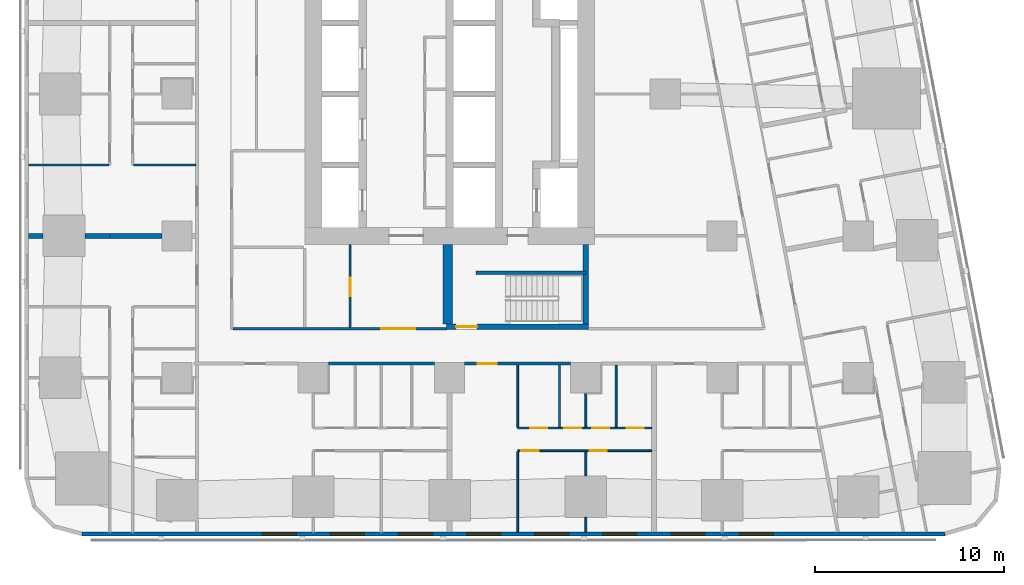
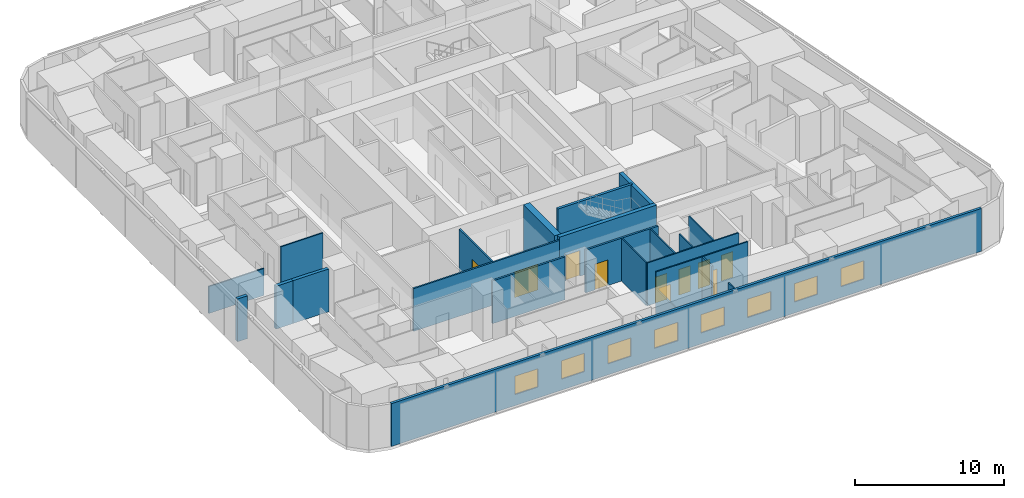
# One storey, part 3 of 15: 23 walls, 10 doors, 8 windows, 18 openings.
"""IFC4 building model written with IfcOpenShell, lengths in metres."""

from ifc_helpers import new_model, si_unit, direction, frame, frame_2d, origin, place, context, subcontext, project, spatial, rectangle, extrude, material, layer, layer_set, type_object, element, fill, save


model = new_model("IFC4")

# Units and contexts
model_context = context("Model", 3, precision=1e-05, world=origin(), true_north=direction((0.0, 1.0)))
body_context = subcontext(model_context, "Body", "Model", "MODEL_VIEW")
ifc_project = project(units=[si_unit("LENGTHUNIT", "METRE"), si_unit("AREAUNIT", "SQUARE_METRE"), si_unit("VOLUMEUNIT", "CUBIC_METRE"), si_unit("PLANEANGLEUNIT", "RADIAN"), si_unit("MASSUNIT", "GRAM", prefix="KILO")], contexts=[model_context])

# Site, building, storey
site_placement = place(None, origin())
site = spatial("IfcSite", under=ifc_project, at=site_placement, CompositionType="ELEMENT")
building_placement = place(site_placement, origin())
building = spatial("IfcBuilding", under=site, at=building_placement, Name="Sheger Commons Tower", CompositionType="ELEMENT")
storey_placement = place(building_placement, frame((0.0, 0.0, 104.14990234375)))
storey = spatial("IfcBuildingStorey", under=building, at=storey_placement, Name="L26", CompositionType="ELEMENT", Elevation=104.14990234375)

# Wall, opening, door
ifc_material_1 = material(Name="Hollow concrete block masonry, skimmed both sides", Category="masonry")
ifc_layer_1 = layer(ifc_material_1, 0.14990234375)
ifc_layer_set_1 = layer_set([ifc_layer_1], Name="CORRIDOR WALL 150")
wall_type_1 = type_object("IfcWallType", Name="CORRIDOR WALL 150", PredefinedType="SOLIDWALL", material=ifc_layer_set_1)
wall_1_placement = place(storey_placement, frame((27.9990234375, 8.25, 0.0), z_axis=(0.0, 0.0, 1.0), x_axis=(-1.0, 0.0, 0.0)))
wall_1 = element("IfcWall", 1, at=wall_1_placement, inside=storey, type_object=wall_type_1, Name="Corridor wall L26", PredefinedType="SOLIDWALL", context=body_context, shape_type="SweptSolid", body=[
    extrude(rectangle(XDim=5.59814453125, YDim=0.14990234375, at=frame_2d((2.799072265625, 0.0))), origin(), (0.0, 0.0, 1.0), 3.5),
])
opening_1_placement = place(wall_1_placement, frame((3.89892578125, 0.0, 0.0)))
opening_1 = element("IfcOpeningElement", 2, at=opening_1_placement, cuts=wall_1, Name="Opening D1", PredefinedType="OPENING", context=body_context, shape_type="SweptSolid", body=[
    extrude(rectangle(XDim=1.0, YDim=2.10009765625, at=frame_2d((0.5, 1.050048828125))), frame((0.0, 0.0849609375, 0.0), z_axis=(0.0, -1.0, 0.0), x_axis=(1.0, 0.0, 0.0)), (0.0, 0.0, 1.0), 0.169921875),
])
ifc_material_2 = material(Name="Steel door set, fire rated", Category="steel")
door_type_1 = type_object("IfcDoorType", Name="FLAT ENTRANCE DOOR 1000x2100", OperationType="NOTDEFINED", PredefinedType="DOOR", material=ifc_material_2)
door_1_placement = place(opening_1_placement, origin())
door_1 = element("IfcDoor", 3, at=door_1_placement, inside=storey, type_object=door_type_1, Name="Flat entrance door", OperationType="SINGLE_SWING_RIGHT", OverallHeight=2.10009765625, OverallWidth=1.0, PredefinedType="DOOR", context=body_context, shape_type="SweptSolid", body=[
    extrude(rectangle(XDim=1.0, YDim=2.10009765625, at=frame_2d((0.5, 1.050048828125))), frame((0.0, 0.02490234375, 0.0), z_axis=(0.0, -1.0, 0.0), x_axis=(1.0, 0.0, 0.0)), (0.0, 0.0, 1.0), 0.050048828125),
])
fill(opening_1, door_1)

# Walls
wall_2_placement = place(storey_placement, frame((20.799072265625, 8.25, 0.0), z_axis=(0.0, 0.0, 1.0), x_axis=(-1.0, 0.0, 0.0)))
element("IfcWall", 4, at=wall_2_placement, inside=storey, type_object=wall_type_1, Name="Corridor wall L26", PredefinedType="SOLIDWALL", context=body_context, shape_type="SweptSolid", body=[
    extrude(rectangle(XDim=5.59814453125, YDim=0.14990234375, at=frame_2d((2.799072265625, 0.0))), origin(), (0.0, 0.0, 1.0), 3.5),
])
ifc_material_3 = material(Name="Dense concrete block masonry, plastered both sides (separating wall between flats)", Category="masonry")
ifc_layer_2 = layer(ifc_material_3, 0.25)
ifc_layer_set_2 = layer_set([ifc_layer_2], Name="DEMISING WALL 250")
wall_type_2 = type_object("IfcWallType", Name="DEMISING WALL 250", PredefinedType="SOLIDWALL", material=ifc_layer_set_2)
wall_3_placement = place(storey_placement, frame((-0.64990234375, 15.0, 0.0), z_axis=(0.0, 0.0, 1.0), x_axis=(1.0, 0.0, 0.0)))
element("IfcWall", 5, at=wall_3_placement, inside=storey, type_object=wall_type_2, Name="Demising wall L26", PredefinedType="SOLIDWALL", context=body_context, shape_type="SweptSolid", body=[
    extrude(rectangle(XDim=0.77392578125, YDim=0.25, at=frame_2d((0.386962890625, 0.0))), origin(), (0.0, 0.0, 1.0), 3.5),
])
wall_4_placement = place(storey_placement, frame((2.325927734375, 15.0, 0.0), z_axis=(0.0, 0.0, 1.0), x_axis=(1.0, 0.0, 0.0)))
element("IfcWall", 6, at=wall_4_placement, inside=storey, type_object=wall_type_2, Name="Demising wall L26", PredefinedType="SOLIDWALL", context=body_context, shape_type="SweptSolid", body=[
    extrude(rectangle(XDim=1.323974609375, YDim=0.25, at=frame_2d((0.662109375, 0.0))), origin(), (0.0, 0.0, 1.0), 3.5),
])
wall_5_placement = place(storey_placement, frame((3.64990234375, 15.0, 0.0), z_axis=(0.0, 0.0, 1.0), x_axis=(1.0, 0.0, 0.0)))
element("IfcWall", 7, at=wall_5_placement, inside=storey, type_object=wall_type_2, Name="Demising wall L26", PredefinedType="SOLIDWALL", context=body_context, shape_type="SweptSolid", body=[
    extrude(rectangle(XDim=2.7490234375, YDim=0.25, at=frame_2d((1.37451171875, 0.0))), origin(), (0.0, 0.0, 1.0), 3.5),
])

# Wall, openings, windows
ifc_material_4 = material(Name="Rendered concrete block masonry, dark grey", Category="masonry")
ifc_layer_3 = layer(ifc_material_4, 0.199951171875)
ifc_layer_set_3 = layer_set([ifc_layer_3], Name="FACADE WALL 200")
wall_type_3 = type_object("IfcWallType", Name="FACADE WALL 200", PredefinedType="SOLIDWALL", material=ifc_layer_set_3)
wall_6_placement = place(storey_placement, frame((2.1630859375, -0.75, 0.0), z_axis=(0.0, 0.0, 1.0), x_axis=(1.0, 0.0, 0.0)))
wall_6 = element("IfcWall", 8, at=wall_6_placement, inside=storey, type_object=wall_type_3, Name="Facade wall L26", PredefinedType="SOLIDWALL", context=body_context, shape_type="SweptSolid", body=[
    extrude(rectangle(XDim=45.6279296875, YDim=0.199951171875, at=frame_2d((22.81396484375, 0.0))), origin(), (0.0, 0.0, 1.0), 3.5),
])
opening_2_placement = place(wall_6_placement, frame((9.537109375, 0.0, 0.89990234375)))
opening_2 = element("IfcOpeningElement", 9, at=opening_2_placement, cuts=wall_6, Name="Opening W2", PredefinedType="OPENING", context=body_context, shape_type="SweptSolid", body=[
    extrude(rectangle(XDim=1.800048828125, YDim=1.5, at=frame_2d((0.89990234375, 0.75))), frame((0.0, 0.10986328125, 0.0), z_axis=(0.0, -1.0, 0.0), x_axis=(1.0, 0.0, 0.0)), (0.0, 0.0, 1.0), 0.219970703125),
])
opening_3_placement = place(wall_6_placement, frame((13.136962890625, 0.0, 0.89990234375)))
opening_3 = element("IfcOpeningElement", 10, at=opening_3_placement, cuts=wall_6, Name="Opening W2", PredefinedType="OPENING", context=body_context, shape_type="SweptSolid", body=[
    extrude(rectangle(XDim=1.800048828125, YDim=1.5, at=frame_2d((0.89990234375, 0.75))), frame((0.0, 0.10986328125, 0.0), z_axis=(0.0, -1.0, 0.0), x_axis=(1.0, 0.0, 0.0)), (0.0, 0.0, 1.0), 0.219970703125),
])
opening_4_placement = place(wall_6_placement, frame((16.737060546875, 0.0, 0.89990234375)))
opening_4 = element("IfcOpeningElement", 11, at=opening_4_placement, cuts=wall_6, Name="Opening W2", PredefinedType="OPENING", context=body_context, shape_type="SweptSolid", body=[
    extrude(rectangle(XDim=1.800048828125, YDim=1.5, at=frame_2d((0.89990234375, 0.75))), frame((0.0, 0.10986328125, 0.0), z_axis=(0.0, -1.0, 0.0), x_axis=(1.0, 0.0, 0.0)), (0.0, 0.0, 1.0), 0.219970703125),
])
opening_5_placement = place(wall_6_placement, frame((20.3369140625, 0.0, 0.89990234375)))
opening_5 = element("IfcOpeningElement", 12, at=opening_5_placement, cuts=wall_6, Name="Opening W2", PredefinedType="OPENING", context=body_context, shape_type="SweptSolid", body=[
    extrude(rectangle(XDim=1.800048828125, YDim=1.5, at=frame_2d((0.89990234375, 0.75))), frame((0.0, 0.10986328125, 0.0), z_axis=(0.0, -1.0, 0.0), x_axis=(1.0, 0.0, 0.0)), (0.0, 0.0, 1.0), 0.219970703125),
])
opening_6_placement = place(wall_6_placement, frame((23.93701171875, 0.0, 0.89990234375)))
opening_6 = element("IfcOpeningElement", 13, at=opening_6_placement, cuts=wall_6, Name="Opening W2", PredefinedType="OPENING", context=body_context, shape_type="SweptSolid", body=[
    extrude(rectangle(XDim=1.800048828125, YDim=1.5, at=frame_2d((0.89990234375, 0.75))), frame((0.0, 0.10986328125, 0.0), z_axis=(0.0, -1.0, 0.0), x_axis=(1.0, 0.0, 0.0)), (0.0, 0.0, 1.0), 0.219970703125),
])
opening_7_placement = place(wall_6_placement, frame((27.537109375, 0.0, 0.89990234375)))
opening_7 = element("IfcOpeningElement", 14, at=opening_7_placement, cuts=wall_6, Name="Opening W2", PredefinedType="OPENING", context=body_context, shape_type="SweptSolid", body=[
    extrude(rectangle(XDim=1.800048828125, YDim=1.5, at=frame_2d((0.89990234375, 0.75))), frame((0.0, 0.10986328125, 0.0), z_axis=(0.0, -1.0, 0.0), x_axis=(1.0, 0.0, 0.0)), (0.0, 0.0, 1.0), 0.219970703125),
])
opening_8_placement = place(wall_6_placement, frame((31.136962890625, 0.0, 0.89990234375)))
opening_8 = element("IfcOpeningElement", 15, at=opening_8_placement, cuts=wall_6, Name="Opening W2", PredefinedType="OPENING", context=body_context, shape_type="SweptSolid", body=[
    extrude(rectangle(XDim=1.800048828125, YDim=1.5, at=frame_2d((0.89990234375, 0.75))), frame((0.0, 0.10986328125, 0.0), z_axis=(0.0, -1.0, 0.0), x_axis=(1.0, 0.0, 0.0)), (0.0, 0.0, 1.0), 0.219970703125),
])
opening_9_placement = place(wall_6_placement, frame((34.737060546875, 0.0, 0.89990234375)))
opening_9 = element("IfcOpeningElement", 16, at=opening_9_placement, cuts=wall_6, Name="Opening W2", PredefinedType="OPENING", context=body_context, shape_type="SweptSolid", body=[
    extrude(rectangle(XDim=1.800048828125, YDim=1.5, at=frame_2d((0.89990234375, 0.75))), frame((0.0, 0.10986328125, 0.0), z_axis=(0.0, -1.0, 0.0), x_axis=(1.0, 0.0, 0.0)), (0.0, 0.0, 1.0), 0.219970703125),
])
ifc_material_5 = material(Name="Black aluminium frame, dark tinted double glazing", Category="aluminium")
window_type = type_object("IfcWindowType", Name="WINDOW W2 1800x1500", PartitioningType="SINGLE_PANEL", PredefinedType="WINDOW", material=ifc_material_5)
window_1_placement = place(opening_2_placement, origin())
window_1 = element("IfcWindow", 17, at=window_1_placement, inside=storey, type_object=window_type, Name="Window W2 1800X1500", OverallHeight=1.5, OverallWidth=1.800048828125, PartitioningType="SINGLE_PANEL", PredefinedType="WINDOW", context=body_context, shape_type="SweptSolid", body=[
    extrude(rectangle(XDim=1.800048828125, YDim=1.5, at=frame_2d((0.89990234375, 0.75))), frame((0.0, 0.030029296875, 0.0), z_axis=(0.0, -1.0, 0.0), x_axis=(1.0, 0.0, 0.0)), (0.0, 0.0, 1.0), 0.06005859375),
])
fill(opening_2, window_1)
window_2_placement = place(opening_3_placement, origin())
window_2 = element("IfcWindow", 18, at=window_2_placement, inside=storey, type_object=window_type, Name="Window W2 1800X1500", OverallHeight=1.5, OverallWidth=1.800048828125, PartitioningType="SINGLE_PANEL", PredefinedType="WINDOW", context=body_context, shape_type="SweptSolid", body=[
    extrude(rectangle(XDim=1.800048828125, YDim=1.5, at=frame_2d((0.89990234375, 0.75))), frame((0.0, 0.030029296875, 0.0), z_axis=(0.0, -1.0, 0.0), x_axis=(1.0, 0.0, 0.0)), (0.0, 0.0, 1.0), 0.06005859375),
])
fill(opening_3, window_2)
window_3_placement = place(opening_4_placement, origin())
window_3 = element("IfcWindow", 19, at=window_3_placement, inside=storey, type_object=window_type, Name="Window W2 1800X1500", OverallHeight=1.5, OverallWidth=1.800048828125, PartitioningType="SINGLE_PANEL", PredefinedType="WINDOW", context=body_context, shape_type="SweptSolid", body=[
    extrude(rectangle(XDim=1.800048828125, YDim=1.5, at=frame_2d((0.89990234375, 0.75))), frame((0.0, 0.030029296875, 0.0), z_axis=(0.0, -1.0, 0.0), x_axis=(1.0, 0.0, 0.0)), (0.0, 0.0, 1.0), 0.06005859375),
])
fill(opening_4, window_3)
window_4_placement = place(opening_5_placement, origin())
window_4 = element("IfcWindow", 20, at=window_4_placement, inside=storey, type_object=window_type, Name="Window W2 1800X1500", OverallHeight=1.5, OverallWidth=1.800048828125, PartitioningType="SINGLE_PANEL", PredefinedType="WINDOW", context=body_context, shape_type="SweptSolid", body=[
    extrude(rectangle(XDim=1.800048828125, YDim=1.5, at=frame_2d((0.89990234375, 0.75))), frame((0.0, 0.030029296875, 0.0), z_axis=(0.0, -1.0, 0.0), x_axis=(1.0, 0.0, 0.0)), (0.0, 0.0, 1.0), 0.06005859375),
])
fill(opening_5, window_4)
window_5_placement = place(opening_6_placement, origin())
window_5 = element("IfcWindow", 21, at=window_5_placement, inside=storey, type_object=window_type, Name="Window W2 1800X1500", OverallHeight=1.5, OverallWidth=1.800048828125, PartitioningType="SINGLE_PANEL", PredefinedType="WINDOW", context=body_context, shape_type="SweptSolid", body=[
    extrude(rectangle(XDim=1.800048828125, YDim=1.5, at=frame_2d((0.89990234375, 0.75))), frame((0.0, 0.030029296875, 0.0), z_axis=(0.0, -1.0, 0.0), x_axis=(1.0, 0.0, 0.0)), (0.0, 0.0, 1.0), 0.06005859375),
])
fill(opening_6, window_5)
window_6_placement = place(opening_7_placement, origin())
window_6 = element("IfcWindow", 22, at=window_6_placement, inside=storey, type_object=window_type, Name="Window W2 1800X1500", OverallHeight=1.5, OverallWidth=1.800048828125, PartitioningType="SINGLE_PANEL", PredefinedType="WINDOW", context=body_context, shape_type="SweptSolid", body=[
    extrude(rectangle(XDim=1.800048828125, YDim=1.5, at=frame_2d((0.89990234375, 0.75))), frame((0.0, 0.030029296875, 0.0), z_axis=(0.0, -1.0, 0.0), x_axis=(1.0, 0.0, 0.0)), (0.0, 0.0, 1.0), 0.06005859375),
])
fill(opening_7, window_6)
window_7_placement = place(opening_8_placement, origin())
window_7 = element("IfcWindow", 23, at=window_7_placement, inside=storey, type_object=window_type, Name="Window W2 1800X1500", OverallHeight=1.5, OverallWidth=1.800048828125, PartitioningType="SINGLE_PANEL", PredefinedType="WINDOW", context=body_context, shape_type="SweptSolid", body=[
    extrude(rectangle(XDim=1.800048828125, YDim=1.5, at=frame_2d((0.89990234375, 0.75))), frame((0.0, 0.030029296875, 0.0), z_axis=(0.0, -1.0, 0.0), x_axis=(1.0, 0.0, 0.0)), (0.0, 0.0, 1.0), 0.06005859375),
])
fill(opening_8, window_7)
window_8_placement = place(opening_9_placement, origin())
window_8 = element("IfcWindow", 24, at=window_8_placement, inside=storey, type_object=window_type, Name="Window W2 1800X1500", OverallHeight=1.5, OverallWidth=1.800048828125, PartitioningType="SINGLE_PANEL", PredefinedType="WINDOW", context=body_context, shape_type="SweptSolid", body=[
    extrude(rectangle(XDim=1.800048828125, YDim=1.5, at=frame_2d((0.89990234375, 0.75))), frame((0.0, 0.030029296875, 0.0), z_axis=(0.0, -1.0, 0.0), x_axis=(1.0, 0.0, 0.0)), (0.0, 0.0, 1.0), 0.06005859375),
])
fill(opening_9, window_8)

# Walls
ifc_material_6 = material(Name="Gypsum board on steel studs", Category="steel")
ifc_layer_4 = layer(ifc_material_6, 0.10009765625)
ifc_layer_set_4 = layer_set([ifc_layer_4], Name="PARTITION 100")
wall_type_4 = type_object("IfcWallType", Name="PARTITION 100", PredefinedType="PARTITIONING", material=ifc_layer_set_4)
wall_7_placement = place(storey_placement, frame((-0.64990234375, 18.75, 0.0), z_axis=(0.0, 0.0, 1.0), x_axis=(1.0, 0.0, 0.0)))
element("IfcWall", 25, at=wall_7_placement, inside=storey, type_object=wall_type_4, Name="Partition L26", PredefinedType="PARTITIONING", context=body_context, shape_type="SweptSolid", body=[
    extrude(rectangle(XDim=4.25, YDim=0.10009765625, at=frame_2d((2.125, 0.0))), origin(), (0.0, 0.0, 1.0), 2.2001953125),
])
wall_8_placement = place(storey_placement, frame((4.89990234375, 18.75, 0.0), z_axis=(0.0, 0.0, 1.0), x_axis=(1.0, 0.0, 0.0)))
element("IfcWall", 26, at=wall_8_placement, inside=storey, type_object=wall_type_4, Name="Partition L26", PredefinedType="PARTITIONING", context=body_context, shape_type="SweptSolid", body=[
    extrude(rectangle(XDim=3.275146484375, YDim=0.10009765625, at=frame_2d((1.6376953125, 0.0))), origin(), (0.0, 0.0, 1.0), 3.5),
])

# Wall, openings, doors
wall_9_placement = place(storey_placement, frame((32.27490234375, 3.64990234375, 0.0), z_axis=(0.0, 0.0, 1.0), x_axis=(-1.0, 0.0, 0.0)))
wall_9 = element("IfcWall", 27, at=wall_9_placement, inside=storey, type_object=wall_type_4, Name="Partition L26", PredefinedType="PARTITIONING", context=body_context, shape_type="SweptSolid", body=[
    extrude(rectangle(XDim=7.074951171875, YDim=0.10009765625, at=frame_2d((3.53759765625, 0.0))), origin(), (0.0, 0.0, 1.0), 3.5),
])
opening_10_placement = place(wall_9_placement, frame((5.97509765625, 0.0, 0.0)))
opening_10 = element("IfcOpeningElement", 28, at=opening_10_placement, cuts=wall_9, Name="Opening D2", PredefinedType="OPENING", context=body_context, shape_type="SweptSolid", body=[
    extrude(rectangle(XDim=0.89990234375, YDim=2.10009765625, at=frame_2d((0.449951171875, 1.050048828125))), frame((0.0, 0.06005859375, 0.0), z_axis=(0.0, -1.0, 0.0), x_axis=(1.0, 0.0, 0.0)), (0.0, 0.0, 1.0), 0.1201171875),
])
opening_11_placement = place(wall_9_placement, frame((2.375, 0.0, 0.0)))
opening_11 = element("IfcOpeningElement", 29, at=opening_11_placement, cuts=wall_9, Name="Opening D2", PredefinedType="OPENING", context=body_context, shape_type="SweptSolid", body=[
    extrude(rectangle(XDim=0.89990234375, YDim=2.10009765625, at=frame_2d((0.449951171875, 1.050048828125))), frame((0.0, 0.06005859375, 0.0), z_axis=(0.0, -1.0, 0.0), x_axis=(1.0, 0.0, 0.0)), (0.0, 0.0, 1.0), 0.1201171875),
])
ifc_material_7 = material(Name="Timber door set", Category="wood")
door_type_2 = type_object("IfcDoorType", Name="INTERNAL DOOR 900x2100", OperationType="NOTDEFINED", PredefinedType="DOOR", material=ifc_material_7)
door_2_placement = place(opening_10_placement, origin())
door_2 = element("IfcDoor", 30, at=door_2_placement, inside=storey, type_object=door_type_2, Name="Main bedroom door", OperationType="SINGLE_SWING_RIGHT", OverallHeight=2.10009765625, OverallWidth=0.89990234375, PredefinedType="DOOR", context=body_context, shape_type="SweptSolid", body=[
    extrude(rectangle(XDim=0.89990234375, YDim=2.10009765625, at=frame_2d((0.449951171875, 1.050048828125))), frame((0.0, 0.02490234375, 0.0), z_axis=(0.0, -1.0, 0.0), x_axis=(1.0, 0.0, 0.0)), (0.0, 0.0, 1.0), 0.050048828125),
])
fill(opening_10, door_2)
door_3_placement = place(opening_11_placement, origin())
door_3 = element("IfcDoor", 31, at=door_3_placement, inside=storey, type_object=door_type_2, Name="Bedroom 2 door", OperationType="SINGLE_SWING_RIGHT", OverallHeight=2.10009765625, OverallWidth=0.89990234375, PredefinedType="DOOR", context=body_context, shape_type="SweptSolid", body=[
    extrude(rectangle(XDim=0.89990234375, YDim=2.10009765625, at=frame_2d((0.449951171875, 1.050048828125))), frame((0.0, 0.02490234375, 0.0), z_axis=(0.0, -1.0, 0.0), x_axis=(1.0, 0.0, 0.0)), (0.0, 0.0, 1.0), 0.050048828125),
])
fill(opening_11, door_3)

wall_10_placement = place(storey_placement, frame((32.27490234375, 4.85009765625, 0.0), z_axis=(0.0, 0.0, 1.0), x_axis=(-1.0, 0.0, 0.0)))
wall_10 = element("IfcWall", 32, at=wall_10_placement, inside=storey, type_object=wall_type_4, Name="Partition L26", PredefinedType="PARTITIONING", context=body_context, shape_type="SweptSolid", body=[
    extrude(rectangle(XDim=7.074951171875, YDim=0.10009765625, at=frame_2d((3.53759765625, 0.0))), origin(), (0.0, 0.0, 1.0), 3.5),
])
opening_12_placement = place(wall_10_placement, frame((5.52001953125, 0.0, 0.0)))
opening_12 = element("IfcOpeningElement", 33, at=opening_12_placement, cuts=wall_10, Name="Opening D2", PredefinedType="OPENING", context=body_context, shape_type="SweptSolid", body=[
    extrude(rectangle(XDim=0.89990234375, YDim=2.10009765625, at=frame_2d((0.449951171875, 1.050048828125))), frame((0.0, 0.06005859375, 0.0), z_axis=(0.0, -1.0, 0.0), x_axis=(1.0, 0.0, 0.0)), (0.0, 0.0, 1.0), 0.1201171875),
])
opening_13_placement = place(wall_10_placement, frame((2.22509765625, 0.0, 0.0)))
opening_13 = element("IfcOpeningElement", 34, at=opening_13_placement, cuts=wall_10, Name="Opening D2", PredefinedType="OPENING", context=body_context, shape_type="SweptSolid", body=[
    extrude(rectangle(XDim=0.89990234375, YDim=2.10009765625, at=frame_2d((0.449951171875, 1.050048828125))), frame((0.0, 0.06005859375, 0.0), z_axis=(0.0, -1.0, 0.0), x_axis=(1.0, 0.0, 0.0)), (0.0, 0.0, 1.0), 0.1201171875),
])
opening_14_placement = place(wall_10_placement, frame((3.719970703125, 0.0, 0.0)))
opening_14 = element("IfcOpeningElement", 35, at=opening_14_placement, cuts=wall_10, Name="Opening D2", PredefinedType="OPENING", context=body_context, shape_type="SweptSolid", body=[
    extrude(rectangle(XDim=0.89990234375, YDim=2.10009765625, at=frame_2d((0.449951171875, 1.050048828125))), frame((0.0, 0.06005859375, 0.0), z_axis=(0.0, -1.0, 0.0), x_axis=(1.0, 0.0, 0.0)), (0.0, 0.0, 1.0), 0.1201171875),
])
opening_15_placement = place(wall_10_placement, frame((0.425048828125, 0.0, 0.0)))
opening_15 = element("IfcOpeningElement", 36, at=opening_15_placement, cuts=wall_10, Name="Opening D2", PredefinedType="OPENING", context=body_context, shape_type="SweptSolid", body=[
    extrude(rectangle(XDim=0.89990234375, YDim=2.10009765625, at=frame_2d((0.449951171875, 1.050048828125))), frame((0.0, 0.06005859375, 0.0), z_axis=(0.0, -1.0, 0.0), x_axis=(1.0, 0.0, 0.0)), (0.0, 0.0, 1.0), 0.1201171875),
])
door_4_placement = place(opening_12_placement, origin())
door_4 = element("IfcDoor", 37, at=door_4_placement, inside=storey, type_object=door_type_2, Name="Bathroom door", OperationType="SINGLE_SWING_LEFT", OverallHeight=2.10009765625, OverallWidth=0.89990234375, PredefinedType="DOOR", context=body_context, shape_type="SweptSolid", body=[
    extrude(rectangle(XDim=0.89990234375, YDim=2.10009765625, at=frame_2d((0.449951171875, 1.050048828125))), frame((0.0, 0.02490234375, 0.0), z_axis=(0.0, -1.0, 0.0), x_axis=(1.0, 0.0, 0.0)), (0.0, 0.0, 1.0), 0.050048828125),
])
fill(opening_12, door_4)
door_5_placement = place(opening_13_placement, origin())
door_5 = element("IfcDoor", 38, at=door_5_placement, inside=storey, type_object=door_type_2, Name="Shower room door", OperationType="SINGLE_SWING_LEFT", OverallHeight=2.10009765625, OverallWidth=0.89990234375, PredefinedType="DOOR", context=body_context, shape_type="SweptSolid", body=[
    extrude(rectangle(XDim=0.89990234375, YDim=2.10009765625, at=frame_2d((0.449951171875, 1.050048828125))), frame((0.0, 0.02490234375, 0.0), z_axis=(0.0, -1.0, 0.0), x_axis=(1.0, 0.0, 0.0)), (0.0, 0.0, 1.0), 0.050048828125),
])
fill(opening_13, door_5)
door_6_placement = place(opening_14_placement, origin())
door_6 = element("IfcDoor", 39, at=door_6_placement, inside=storey, type_object=door_type_2, Name="Store door", OperationType="SINGLE_SWING_LEFT", OverallHeight=2.10009765625, OverallWidth=0.89990234375, PredefinedType="DOOR", context=body_context, shape_type="SweptSolid", body=[
    extrude(rectangle(XDim=0.89990234375, YDim=2.10009765625, at=frame_2d((0.449951171875, 1.050048828125))), frame((0.0, 0.02490234375, 0.0), z_axis=(0.0, -1.0, 0.0), x_axis=(1.0, 0.0, 0.0)), (0.0, 0.0, 1.0), 0.050048828125),
])
fill(opening_14, door_6)
door_7_placement = place(opening_15_placement, origin())
door_7 = element("IfcDoor", 40, at=door_7_placement, inside=storey, type_object=door_type_2, Name="Store door", OperationType="SINGLE_SWING_RIGHT", OverallHeight=2.10009765625, OverallWidth=0.89990234375, PredefinedType="DOOR", context=body_context, shape_type="SweptSolid", body=[
    extrude(rectangle(XDim=0.89990234375, YDim=2.10009765625, at=frame_2d((0.449951171875, 1.050048828125))), frame((0.0, 0.02490234375, 0.0), z_axis=(0.0, -1.0, 0.0), x_axis=(1.0, 0.0, 0.0)), (0.0, 0.0, 1.0), 0.050048828125),
])
fill(opening_15, door_7)

# Walls
wall_11_placement = place(storey_placement, frame((25.199951171875, -0.64990234375, 0.0), z_axis=(0.0, 0.0, 1.0), x_axis=(0.0, 1.0, 0.0)))
element("IfcWall", 41, at=wall_11_placement, inside=storey, type_object=wall_type_4, Name="Partition L26", PredefinedType="PARTITIONING", context=body_context, shape_type="SweptSolid", body=[
    extrude(rectangle(XDim=4.25, YDim=0.10009765625, at=frame_2d((2.125, 0.0))), origin(), (0.0, 0.0, 1.0), 2.2001953125),
])
wall_12_placement = place(storey_placement, frame((28.800048828125, -0.64990234375, 0.0), z_axis=(0.0, 0.0, 1.0), x_axis=(0.0, 1.0, 0.0)))
element("IfcWall", 42, at=wall_12_placement, inside=storey, type_object=wall_type_4, Name="Partition L26", PredefinedType="PARTITIONING", context=body_context, shape_type="SweptSolid", body=[
    extrude(rectangle(XDim=0.77392578125, YDim=0.10009765625, at=frame_2d((0.386962890625, 0.0))), origin(), (0.0, 0.0, 1.0), 3.5),
])
wall_13_placement = place(storey_placement, frame((28.800048828125, 2.325927734375, 0.0), z_axis=(0.0, 0.0, 1.0), x_axis=(0.0, 1.0, 0.0)))
element("IfcWall", 43, at=wall_13_placement, inside=storey, type_object=wall_type_4, Name="Partition L26", PredefinedType="PARTITIONING", context=body_context, shape_type="SweptSolid", body=[
    extrude(rectangle(XDim=1.274169921875, YDim=0.10009765625, at=frame_2d((0.63720703125, 0.0))), origin(), (0.0, 0.0, 1.0), 3.5),
])
wall_14_placement = place(storey_placement, frame((25.199951171875, 4.89990234375, 0.0), z_axis=(0.0, 0.0, 1.0), x_axis=(0.0, 1.0, 0.0)))
element("IfcWall", 44, at=wall_14_placement, inside=storey, type_object=wall_type_4, Name="Partition L26", PredefinedType="PARTITIONING", context=body_context, shape_type="SweptSolid", body=[
    extrude(rectangle(XDim=3.275146484375, YDim=0.10009765625, at=frame_2d((1.6376953125, 0.0))), origin(), (0.0, 0.0, 1.0), 3.5),
])
wall_15_placement = place(storey_placement, frame((28.800048828125, 4.89990234375, 0.0), z_axis=(0.0, 0.0, 1.0), x_axis=(0.0, 1.0, 0.0)))
element("IfcWall", 45, at=wall_15_placement, inside=storey, type_object=wall_type_4, Name="Partition L26", PredefinedType="PARTITIONING", context=body_context, shape_type="SweptSolid", body=[
    extrude(rectangle(XDim=1.799072265625, YDim=0.10009765625, at=frame_2d((0.8994140625, 0.0))), origin(), (0.0, 0.0, 1.0), 3.5),
])
for number, where, z_axis, x_axis, name in (
    (46, (27.409912109375, 4.89990234375, 0.0), (0.0, 0.0, 1.0), (0.0, 1.0, 0.0), "Partition L26"),
    (47, (30.39990234375, 4.89990234375, 0.0), (0.0, 0.0, 1.0), (0.0, 1.0, 0.0), "Partition L26"),
):
    element("IfcWall", number, at=place(storey_placement, frame(where, z_axis=z_axis, x_axis=x_axis)), inside=storey, type_object=wall_type_4, Name=name, PredefinedType="PARTITIONING", context=body_context, shape_type="SweptSolid", body=[
        extrude(rectangle(XDim=3.275146484375, YDim=0.10009765625, at=frame_2d((1.6376953125, 0.0))), origin(), (0.0, 0.0, 1.0), 3.5),
    ])

# Wall, opening, door
ifc_material_8 = material(Name="Gypsum board on steel studs, two layers each side, fire rated", Category="steel")
ifc_layer_5 = layer(ifc_material_8, 0.125)
ifc_layer_set_5 = layer_set([ifc_layer_5], Name="SERVICE WALL 125")
wall_type_5 = type_object("IfcWallType", Name="SERVICE WALL 125", PredefinedType="PARTITIONING", material=ifc_layer_set_5)
wall_16_placement = place(storey_placement, frame((10.1630859375, 10.10009765625, 0.0), z_axis=(0.0, 0.0, 1.0), x_axis=(1.0, 0.0, 0.0)))
wall_16 = element("IfcWall", 48, at=wall_16_placement, inside=storey, type_object=wall_type_5, Name="Service room wall L26", PredefinedType="PARTITIONING", context=body_context, shape_type="SweptSolid", body=[
    extrude(rectangle(XDim=11.286865234375, YDim=0.125, at=frame_2d((5.6435546875, 0.0))), origin(), (0.0, 0.0, 1.0), 3.5),
])
opening_16_placement = place(wall_16_placement, frame((7.83203125, 0.0, 0.0)))
opening_16 = element("IfcOpeningElement", 49, at=opening_16_placement, cuts=wall_16, Name="Opening D6", PredefinedType="OPENING", context=body_context, shape_type="SweptSolid", body=[
    extrude(rectangle(XDim=1.800048828125, YDim=2.10009765625, at=frame_2d((0.89990234375, 1.050048828125))), frame((0.0, 0.072509765625, 0.0), z_axis=(0.0, -1.0, 0.0), x_axis=(1.0, 0.0, 0.0)), (0.0, 0.0, 1.0), 0.14501953125),
])
ifc_material_9 = material(Name="Steel door set, fire rated", Category="steel")
door_type_3 = type_object("IfcDoorType", Name="LOBBY DOUBLE DOOR 1800x2100", OperationType="DOUBLE_DOOR_SINGLE_SWING", PredefinedType="DOOR", material=ifc_material_9)
door_8_placement = place(opening_16_placement, origin())
door_8 = element("IfcDoor", 50, at=door_8_placement, inside=storey, type_object=door_type_3, Name="Lift lobby south door", OperationType="DOUBLE_DOOR_SINGLE_SWING", OverallHeight=2.10009765625, OverallWidth=1.800048828125, PredefinedType="DOOR", context=body_context, shape_type="SweptSolid", body=[
    extrude(rectangle(XDim=1.800048828125, YDim=2.10009765625, at=frame_2d((0.89990234375, 1.050048828125))), frame((0.0, 0.02490234375, 0.0), z_axis=(0.0, -1.0, 0.0), x_axis=(1.0, 0.0, 0.0)), (0.0, 0.0, 1.0), 0.050048828125),
])
fill(opening_16, door_8)

wall_17_placement = place(storey_placement, frame((16.340087890625, 10.1630859375, 0.0), z_axis=(0.0, 0.0, 1.0), x_axis=(0.0, 1.0, 0.0)))
wall_17 = element("IfcWall", 51, at=wall_17_placement, inside=storey, type_object=wall_type_5, Name="Service room wall L26", PredefinedType="PARTITIONING", context=body_context, shape_type="SweptSolid", body=[
    extrude(rectangle(XDim=4.386962890625, YDim=0.125, at=frame_2d((2.193359375, 0.0))), origin(), (0.0, 0.0, 1.0), 3.5),
])
opening_17_placement = place(wall_17_placement, frame((1.636962890625, 0.0, 0.0)))
opening_17 = element("IfcOpeningElement", 52, at=opening_17_placement, cuts=wall_17, Name="Opening D4", PredefinedType="OPENING", context=body_context, shape_type="SweptSolid", body=[
    extrude(rectangle(XDim=1.0, YDim=2.10009765625, at=frame_2d((0.5, 1.050048828125))), frame((0.0, 0.072509765625, 0.0), z_axis=(0.0, -1.0, 0.0), x_axis=(1.0, 0.0, 0.0)), (0.0, 0.0, 1.0), 0.14501953125),
])
ifc_material_10 = material(Name="Steel door set, fire rated", Category="steel")
door_type_4 = type_object("IfcDoorType", Name="SERVICE DOOR 1000x2100", OperationType="NOTDEFINED", PredefinedType="DOOR", material=ifc_material_10)
door_9_placement = place(opening_17_placement, origin())
door_9 = element("IfcDoor", 53, at=door_9_placement, inside=storey, type_object=door_type_4, Name="Electrical room door", OperationType="SINGLE_SWING_LEFT", OverallHeight=2.10009765625, OverallWidth=1.0, PredefinedType="DOOR", context=body_context, shape_type="SweptSolid", body=[
    extrude(rectangle(XDim=1.0, YDim=2.10009765625, at=frame_2d((0.5, 1.050048828125))), frame((0.0, 0.02490234375, 0.0), z_axis=(0.0, -1.0, 0.0), x_axis=(1.0, 0.0, 0.0)), (0.0, 0.0, 1.0), 0.050048828125),
])
fill(opening_17, door_9)

ifc_material_11 = material(Name="Concrete C50/60", Category="concrete")
ifc_layer_6 = layer(ifc_material_11, 0.300048828125)
ifc_layer_set_6 = layer_set([ifc_layer_6], Name="STAIR CORE WALL 300")
wall_type_6 = type_object("IfcWallType", Name="STAIR CORE WALL 300", PredefinedType="SHEAR", material=ifc_layer_set_6)
wall_18_placement = place(storey_placement, frame((21.449951171875, 10.199951171875, 0.0), z_axis=(0.0, 0.0, 1.0), x_axis=(1.0, 0.0, 0.0)))
wall_18 = element("IfcWall", 54, at=wall_18_placement, inside=storey, type_object=wall_type_6, Name="STW-L26-S1S", PredefinedType="SHEAR", context=body_context, shape_type="SweptSolid", body=[
    extrude(rectangle(XDim=7.5, YDim=0.300048828125, at=frame_2d((3.75, 0.0))), origin(), (0.0, 0.0, 1.0), 3.75),
])
opening_18_placement = place(wall_18_placement, frame((0.5, 0.0, 0.0)))
opening_18 = element("IfcOpeningElement", 55, at=opening_18_placement, cuts=wall_18, Name="Opening D5", PredefinedType="OPENING", context=body_context, shape_type="SweptSolid", body=[
    extrude(rectangle(XDim=1.10009765625, YDim=2.10009765625, at=frame_2d((0.550048828125, 1.050048828125))), frame((0.0, 0.159912109375, 0.0), z_axis=(0.0, -1.0, 0.0), x_axis=(1.0, 0.0, 0.0)), (0.0, 0.0, 1.0), 0.320068359375),
])
ifc_material_12 = material(Name="Steel door set, fire rated", Category="steel")
door_type_5 = type_object("IfcDoorType", Name="STAIR DOOR 1100x2100", OperationType="NOTDEFINED", PredefinedType="DOOR", material=ifc_material_12)
door_10_placement = place(opening_18_placement, origin())
door_10 = element("IfcDoor", 56, at=door_10_placement, inside=storey, type_object=door_type_5, Name="Stair S1 door", OperationType="SINGLE_SWING_LEFT", OverallHeight=2.10009765625, OverallWidth=1.10009765625, PredefinedType="DOOR", context=body_context, shape_type="SweptSolid", body=[
    extrude(rectangle(XDim=1.10009765625, YDim=2.10009765625, at=frame_2d((0.550048828125, 1.050048828125))), frame((0.0, 0.02490234375, 0.0), z_axis=(0.0, -1.0, 0.0), x_axis=(1.0, 0.0, 0.0)), (0.0, 0.0, 1.0), 0.050048828125),
])
fill(opening_18, door_10)

# Walls
wall_19_placement = place(storey_placement, frame((28.800048828125, 10.35009765625, 0.0), z_axis=(0.0, 0.0, 1.0), x_axis=(0.0, 1.0, 0.0)))
element("IfcWall", 57, at=wall_19_placement, inside=storey, type_object=wall_type_6, Name="STW-L26-S1E", PredefinedType="SHEAR", context=body_context, shape_type="SweptSolid", body=[
    extrude(rectangle(XDim=4.199951171875, YDim=0.300048828125, at=frame_2d((2.10009765625, 0.0))), origin(), (0.0, 0.0, 1.0), 3.75),
])
ifc_material_13 = material(Name="Concrete C50/60", Category="concrete")
ifc_layer_7 = layer(ifc_material_13, 0.5)
ifc_layer_set_7 = layer_set([ifc_layer_7], Name="STAIR CORE WALL 500")
wall_type_7 = type_object("IfcWallType", Name="STAIR CORE WALL 500", PredefinedType="SHEAR", material=ifc_layer_set_7)
wall_20_placement = place(storey_placement, frame((21.5, 10.35009765625, 0.0), z_axis=(0.0, 0.0, 1.0), x_axis=(0.0, 1.0, 0.0)))
element("IfcWall", 58, at=wall_20_placement, inside=storey, type_object=wall_type_7, Name="STW-L26-S1W", PredefinedType="SHEAR", context=body_context, shape_type="SweptSolid", body=[
    extrude(rectangle(XDim=4.199951171875, YDim=0.5, at=frame_2d((2.10009765625, 0.0))), origin(), (0.0, 0.0, 1.0), 3.75),
])
ifc_material_14 = material(Name="Concrete C50/60", Category="concrete")
ifc_layer_8 = layer(ifc_material_14, 0.199951171875)
ifc_layer_set_8 = layer_set([ifc_layer_8], Name="STAIR SPINE WALL 200")
wall_type_8 = type_object("IfcWallType", Name="STAIR SPINE WALL 200", PredefinedType="SHEAR", material=ifc_layer_set_8)
wall_21_placement = place(storey_placement, frame((23.0, 13.050048828125, 0.0), z_axis=(0.0, 0.0, 1.0), x_axis=(1.0, 0.0, 0.0)))
element("IfcWall", 59, at=wall_21_placement, inside=storey, type_object=wall_type_8, Name="Stair spine wall L26", PredefinedType="SHEAR", context=body_context, shape_type="SweptSolid", body=[
    extrude(rectangle(XDim=5.800048828125, YDim=0.199951171875, at=frame_2d((2.89990234375, 0.0))), origin(), (0.0, 0.0, 1.0), 3.75),
])

save(model, "model.ifc")
